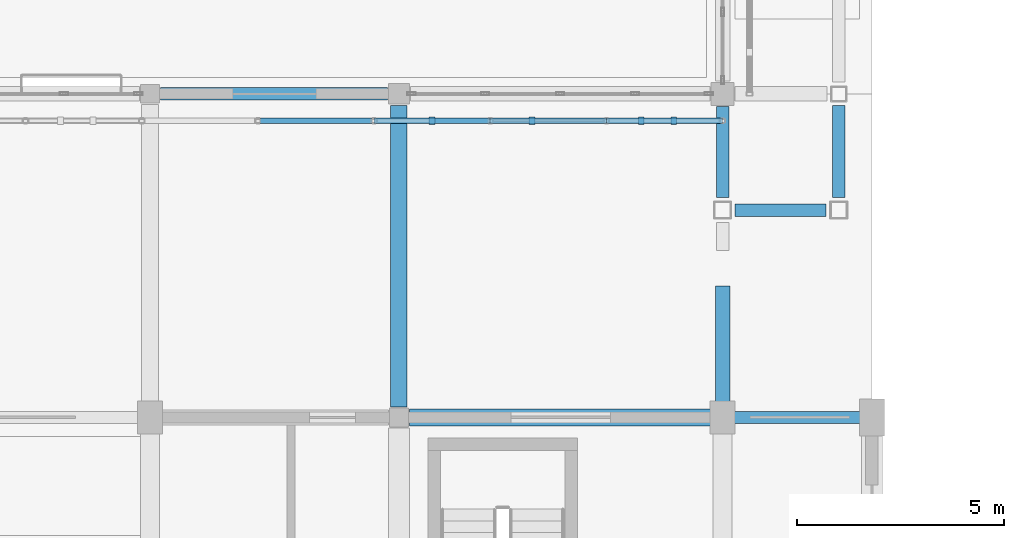
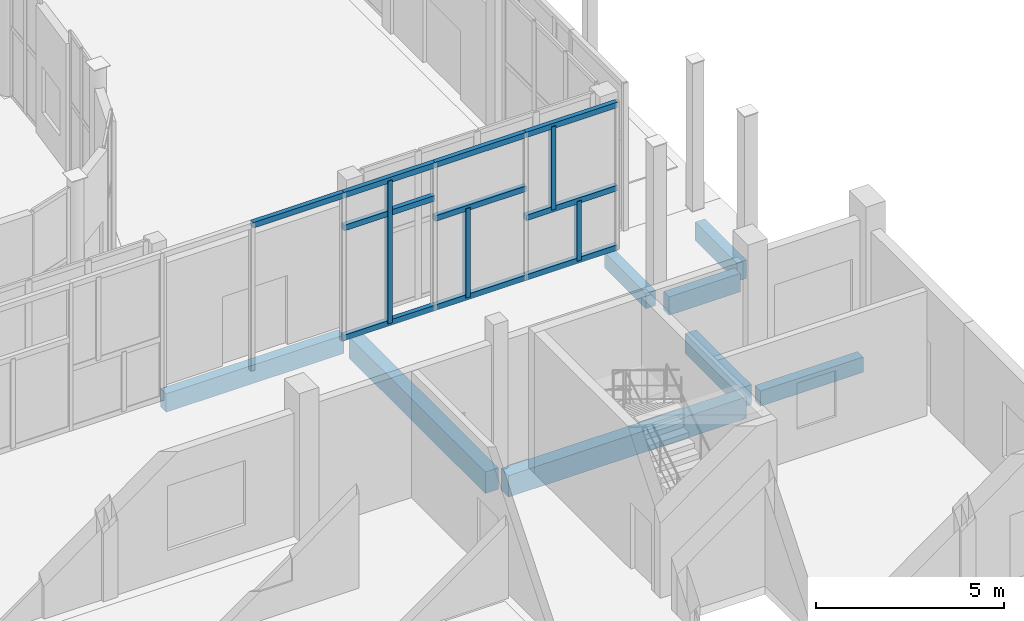
# One storey, part 30 of 91: 14 members, 8 beams.
"""IFC4 building model written with IfcOpenShell, lengths in metres."""

from ifc_helpers import new_model, si_unit, direction, frame, origin, origin_2d, place, context, subcontext, project, spatial, rectangle, extrude, material, material_profile, profile_set, type_object, element, save


model = new_model("IFC4")

# Units and contexts
model_context = context("Model", 3, precision=1e-05, world=origin(), true_north=direction((0.0, 1.0)))
body_context = subcontext(model_context, "Body", "Model", "MODEL_VIEW")
ifc_project = project(units=[si_unit("LENGTHUNIT", "METRE"), si_unit("AREAUNIT", "SQUARE_METRE"), si_unit("VOLUMEUNIT", "CUBIC_METRE"), si_unit("PLANEANGLEUNIT", "RADIAN"), si_unit("MASSUNIT", "GRAM", prefix="KILO")], contexts=[model_context])

# Site, building, storey
site_placement = place(None, origin())
site = spatial("IfcSite", under=ifc_project, at=site_placement, CompositionType="ELEMENT")
building_placement = place(site_placement, origin())
building = spatial("IfcBuilding", under=site, at=building_placement, Name="Vinh Khe Railworks Police Headquarters", CompositionType="ELEMENT")
storey_placement = place(building_placement, origin())
storey = spatial("IfcBuildingStorey", under=building, at=storey_placement, Name="L00", CompositionType="ELEMENT", Elevation=0.0)

# Members
ifc_material_1 = material(Name="Salvaged ironwood timber", Category="wood")
ifc_material_profile_1 = material_profile(ifc_material_1, rectangle(XDim=0.139892578125, YDim=0.179931640625, at=origin_2d()), Name="TIMBER 140x180")
ifc_profile_set_1 = profile_set([ifc_material_profile_1], Name="Salvaged ironwood timber")
member_type = type_object("IfcMemberType", Name="MEM-QUILT-STILE", PredefinedType="CHORD", material=ifc_profile_set_1)
member_1_placement = place(storey_placement, frame((48.800048828125, 24.550048828125, 4.719970703125), z_axis=(1.0, 0.0, 0.0), x_axis=(0.0, 1.0, 0.0)))
element("IfcMember", 1, at=member_1_placement, inside=storey, type_object=member_type, Name="Salvaged Timber Quilt Transom S-L00-08-TOP", PredefinedType="CHORD", context=body_context, shape_type="SweptSolid", body=[
    extrude(rectangle(XDim=0.139892578125, YDim=0.179931640625, at=origin_2d()), origin(), (0.0, 0.0, 1.0), 2.800048828125),
])
for number, where, z_axis, x_axis, name in (
    (2, (51.60009765625, 24.550048828125, 4.719970703125), (1.0, 0.0, 0.0), (0.0, 1.0, 0.0), "Salvaged Timber Quilt Transom S-L00-09-TOP"),
    (3, (51.60009765625, 24.550048828125, 0.080078125), (1.0, 0.0, 0.0), (0.0, 1.0, 0.0), "Salvaged Timber Quilt Transom S-L00-09-BOT"),
    (4, (51.60009765625, 24.550048828125, 3.64794921875), (1.0, 0.0, 0.0), (0.0, 1.0, 0.0), "Salvaged Timber Quilt Transom S-L00-09-M1"),
):
    element("IfcMember", number, at=place(storey_placement, frame(where, z_axis=z_axis, x_axis=x_axis)), inside=storey, type_object=member_type, Name=name, PredefinedType="CHORD", context=body_context, shape_type="SweptSolid", body=[
        extrude(rectangle(XDim=0.139892578125, YDim=0.179931640625, at=origin_2d()), origin(), (0.0, 0.0, 1.0), 2.7998046875),
    ])
member_2_placement = place(storey_placement, frame((53.0, 24.550048828125, 0.080078125), z_axis=(0.0, 0.0, 1.0), x_axis=(1.0, 0.0, 0.0)))
element("IfcMember", 5, at=member_2_placement, inside=storey, type_object=member_type, Name="Salvaged Timber Quilt Stile S-L00-09-V1", PredefinedType="POST", context=body_context, shape_type="SweptSolid", body=[
    extrude(rectangle(XDim=0.139892578125, YDim=0.179931640625, at=origin_2d()), origin(), (0.0, 0.0, 1.0), 4.639892578125),
])
for number, where, z_axis, x_axis, name in (
    (6, (54.39990234375, 24.550048828125, 4.719970703125), (1.0, 0.0, 0.0), (0.0, 1.0, 0.0), "Salvaged Timber Quilt Transom S-L00-10-TOP"),
    (7, (54.39990234375, 24.550048828125, 0.080078125), (1.0, 0.0, 0.0), (0.0, 1.0, 0.0), "Salvaged Timber Quilt Transom S-L00-10-BOT"),
    (8, (54.39990234375, 24.550048828125, 2.97607421875), (1.0, 0.0, 0.0), (0.0, 1.0, 0.0), "Salvaged Timber Quilt Transom S-L00-10-M1"),
):
    element("IfcMember", number, at=place(storey_placement, frame(where, z_axis=z_axis, x_axis=x_axis)), inside=storey, type_object=member_type, Name=name, PredefinedType="CHORD", context=body_context, shape_type="SweptSolid", body=[
        extrude(rectangle(XDim=0.139892578125, YDim=0.179931640625, at=origin_2d()), origin(), (0.0, 0.0, 1.0), 2.800048828125),
    ])
member_3_placement = place(storey_placement, frame((55.407958984375, 24.550048828125, 0.080078125), z_axis=(0.0, 0.0, 1.0), x_axis=(1.0, 0.0, 0.0)))
element("IfcMember", 9, at=member_3_placement, inside=storey, type_object=member_type, Name="Salvaged Timber Quilt Stile S-L00-10-V1", PredefinedType="POST", context=body_context, shape_type="SweptSolid", body=[
    extrude(rectangle(XDim=0.139892578125, YDim=0.179931640625, at=origin_2d()), origin(), (0.0, 0.0, 1.0), 2.89599609375),
])
for number, where, z_axis, x_axis, name in (
    (10, (57.199951171875, 24.550048828125, 4.719970703125), (1.0, 0.0, 0.0), (0.0, 1.0, 0.0), "Salvaged Timber Quilt Transom S-L00-11-TOP"),
    (11, (57.199951171875, 24.550048828125, 0.080078125), (1.0, 0.0, 0.0), (0.0, 1.0, 0.0), "Salvaged Timber Quilt Transom S-L00-11-BOT"),
    (12, (57.199951171875, 24.550048828125, 2.01611328125), (1.0, 0.0, 0.0), (0.0, 1.0, 0.0), "Salvaged Timber Quilt Transom S-L00-11-M1"),
):
    element("IfcMember", number, at=place(storey_placement, frame(where, z_axis=z_axis, x_axis=x_axis)), inside=storey, type_object=member_type, Name=name, PredefinedType="CHORD", context=body_context, shape_type="SweptSolid", body=[
        extrude(rectangle(XDim=0.139892578125, YDim=0.179931640625, at=origin_2d()), origin(), (0.0, 0.0, 1.0), 2.800048828125),
    ])
member_4_placement = place(storey_placement, frame((58.823974609375, 24.550048828125, 0.080078125), z_axis=(0.0, 0.0, 1.0), x_axis=(1.0, 0.0, 0.0)))
element("IfcMember", 13, at=member_4_placement, inside=storey, type_object=member_type, Name="Salvaged Timber Quilt Stile S-L00-11-V1", PredefinedType="POST", context=body_context, shape_type="SweptSolid", body=[
    extrude(rectangle(XDim=0.139892578125, YDim=0.179931640625, at=origin_2d()), origin(), (0.0, 0.0, 1.0), 1.93603515625),
])
member_5_placement = place(storey_placement, frame((58.0400390625, 24.550048828125, 2.01611328125), z_axis=(0.0, 0.0, 1.0), x_axis=(1.0, 0.0, 0.0)))
element("IfcMember", 14, at=member_5_placement, inside=storey, type_object=member_type, Name="Salvaged Timber Quilt Stile S-L00-11-V2", PredefinedType="POST", context=body_context, shape_type="SweptSolid", body=[
    extrude(rectangle(XDim=0.139892578125, YDim=0.179931640625, at=origin_2d()), origin(), (0.0, 0.0, 1.0), 2.703857421875),
])

# Beams
ifc_material_2 = material(Name="Concrete C35/45 (B35)", Category="concrete")
ifc_material_profile_2 = material_profile(ifc_material_2, rectangle(XDim=0.300048828125, YDim=0.5, at=origin_2d()), Name="RC 300x500")
ifc_profile_set_2 = profile_set([ifc_material_profile_2], Name="Concrete C35/45 (B35)")
beam_type_1 = type_object("IfcBeamType", Name="RC Girder RC 300x500", PredefinedType="BEAM", material=ifc_profile_set_2)
beam_1_placement = place(storey_placement, frame((60.22998046875, 17.39990234375, -0.530029296875), z_axis=(1.0, 0.0, 0.0), x_axis=(0.0, 1.0, 0.0)))
element("IfcBeam", 15, at=beam_1_placement, inside=storey, type_object=beam_type_1, Name="Girder BM-L00-EW-RB-10-0030", PredefinedType="BEAM", context=body_context, shape_type="SweptSolid", body=[
    extrude(rectangle(XDim=0.300048828125, YDim=0.5, at=origin_2d()), origin(), (0.0, 0.0, 1.0), 3.1650390625),
])
beam_2_placement = place(storey_placement, frame((60.0, 22.705078125, -0.530029296875), z_axis=(0.0, 1.0, 0.0), x_axis=(-1.0, 0.0, 0.0)))
element("IfcBeam", 16, at=beam_2_placement, inside=storey, type_object=beam_type_1, Name="Girder BM-L00-NS-RB-10-0321", PredefinedType="BEAM", context=body_context, shape_type="SweptSolid", body=[
    extrude(rectangle(XDim=0.300048828125, YDim=0.5, at=origin_2d()), origin(), (0.0, 0.0, 1.0), 2.18994140625),
])
ifc_material_profile_3 = material_profile(ifc_material_2, rectangle(XDim=0.300048828125, YDim=0.60009765625, at=origin_2d()), Name="RC 300x600")
ifc_profile_set_3 = profile_set([ifc_material_profile_3], Name="Concrete C35/45 (B35)")
beam_type_2 = type_object("IfcBeamType", Name="RC Girder RC 300x600", PredefinedType="BEAM", material=ifc_profile_set_3)
beam_3_placement = place(storey_placement, frame((60.304931640625, 22.39990234375, -0.580078125), z_axis=(1.0, 0.0, 0.0), x_axis=(0.0, 1.0, 0.0)))
element("IfcBeam", 17, at=beam_3_placement, inside=storey, type_object=beam_type_2, Name="Girder BM-L00-EW-RB-09-0032", PredefinedType="BEAM", context=body_context, shape_type="SweptSolid", body=[
    extrude(rectangle(XDim=0.300048828125, YDim=0.60009765625, at=origin_2d()), origin(), (0.0, 0.0, 1.0), 2.190185546875),
])
beam_4_placement = place(storey_placement, frame((46.455078125, 25.199951171875, -0.580078125), z_axis=(1.0, 0.0, 0.0), x_axis=(0.0, 1.0, 0.0)))
element("IfcBeam", 18, at=beam_4_placement, inside=storey, type_object=beam_type_2, Name="Girder BM-L00-EW-RB-09-0041", PredefinedType="BEAM", context=body_context, shape_type="SweptSolid", body=[
    extrude(rectangle(XDim=0.300048828125, YDim=0.60009765625, at=origin_2d()), origin(), (0.0, 0.0, 1.0), 5.46484375),
])
beam_5_placement = place(storey_placement, frame((62.800048828125, 22.705078125, -0.580078125), z_axis=(0.0, 1.0, 0.0), x_axis=(-1.0, 0.0, 0.0)))
element("IfcBeam", 19, at=beam_5_placement, inside=storey, type_object=beam_type_2, Name="Girder BM-L00-NS-RB-09-0335", PredefinedType="BEAM", context=body_context, shape_type="SweptSolid", body=[
    extrude(rectangle(XDim=0.300048828125, YDim=0.60009765625, at=origin_2d()), origin(), (0.0, 0.0, 1.0), 2.21484375),
])
ifc_material_profile_4 = material_profile(ifc_material_2, rectangle(XDim=0.35009765625, YDim=0.64990234375, at=origin_2d()), Name="RC 350x650")
ifc_profile_set_4 = profile_set([ifc_material_profile_4], Name="Concrete C35/45 (B35)")
beam_type_3 = type_object("IfcBeamType", Name="RC Girder RC 350x650", PredefinedType="BEAM", material=ifc_profile_set_4)
beam_6_placement = place(storey_placement, frame((60.0, 17.6298828125, -0.60498046875), z_axis=(0.0, 1.0, 0.0), x_axis=(-1.0, 0.0, 0.0)))
element("IfcBeam", 20, at=beam_6_placement, inside=storey, type_object=beam_type_3, Name="Girder BM-L00-NS-RB-08-0319", PredefinedType="BEAM", context=body_context, shape_type="SweptSolid", body=[
    extrude(rectangle(XDim=0.35009765625, YDim=0.64990234375, at=origin_2d()), origin(), (0.0, 0.0, 1.0), 2.940185546875),
])
ifc_material_profile_5 = material_profile(ifc_material_2, rectangle(XDim=0.39990234375, YDim=0.699951171875, at=origin_2d()), Name="RC 400x700")
ifc_profile_set_5 = profile_set([ifc_material_profile_5], Name="Concrete C35/45 (B35)")
beam_type_4 = type_object("IfcBeamType", Name="RC Girder RC 400x700", PredefinedType="BEAM", material=ifc_profile_set_5)
beam_7_placement = place(storey_placement, frame((52.455078125, 17.39990234375, -0.6298828125), z_axis=(1.0, 0.0, 0.0), x_axis=(0.0, 1.0, 0.0)))
element("IfcBeam", 21, at=beam_7_placement, inside=storey, type_object=beam_type_4, Name="Girder BM-L00-EW-RB-07-0029", PredefinedType="BEAM", context=body_context, shape_type="SweptSolid", body=[
    extrude(rectangle(XDim=0.39990234375, YDim=0.699951171875, at=origin_2d()), origin(), (0.0, 0.0, 1.0), 7.31494140625),
])
beam_8_placement = place(storey_placement, frame((52.199951171875, 17.655029296875, -0.6298828125), z_axis=(0.0, 1.0, 0.0), x_axis=(-1.0, 0.0, 0.0)))
element("IfcBeam", 22, at=beam_8_placement, inside=storey, type_object=beam_type_4, Name="Girder BM-L00-NS-RB-07-0311", PredefinedType="BEAM", context=body_context, shape_type="SweptSolid", body=[
    extrude(rectangle(XDim=0.39990234375, YDim=0.699951171875, at=origin_2d()), origin(), (0.0, 0.0, 1.0), 7.264892578125),
])

save(model, "model.ifc")
